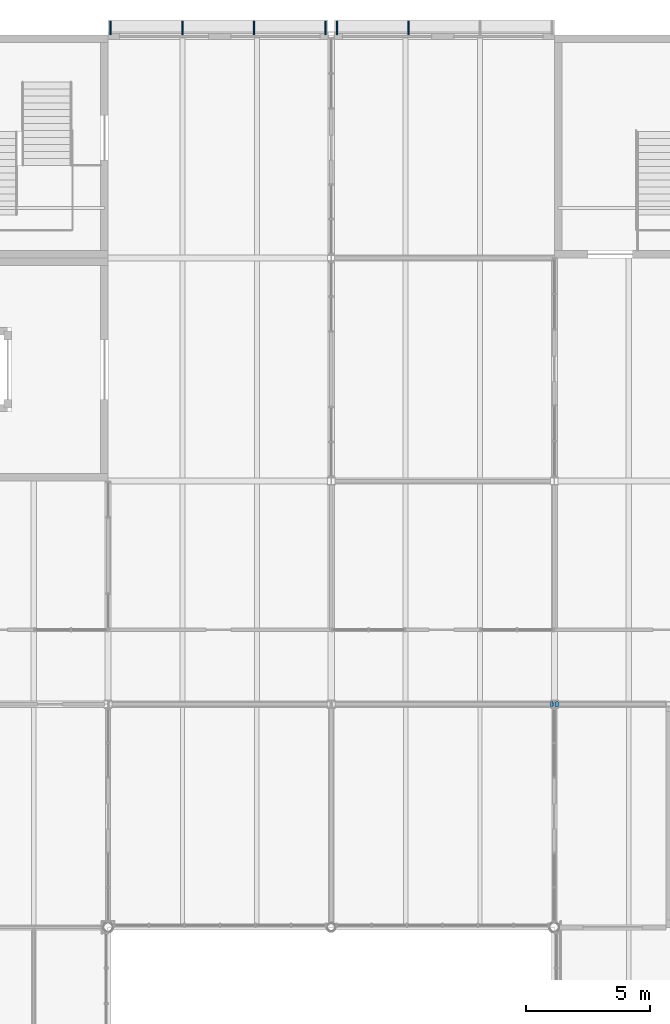
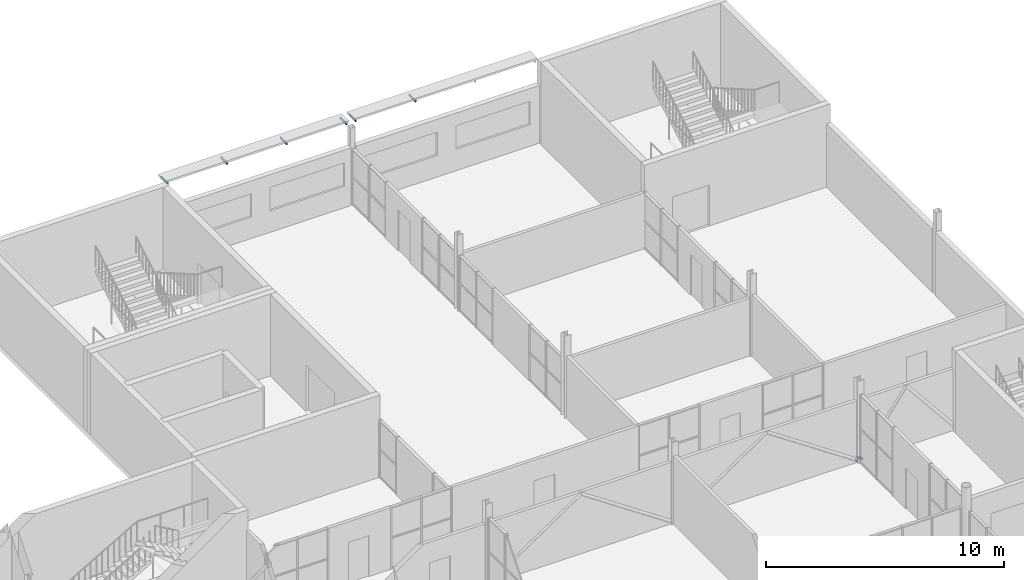
# One storey, part 45 of 57: 8 discrete accessories.
"""IFC4 building model written with IfcOpenShell, lengths in metres."""

from ifc_helpers import new_model, si_unit, direction, frame, origin, origin_2d, place, context, subcontext, project, spatial, rectangle, circle, extrude, element, save


model = new_model("IFC4")

# Units and contexts
model_context = context("Model", 3, precision=1e-05, world=origin(), true_north=direction((0.0, 1.0)))
body_context = subcontext(model_context, "Body", "Model", "MODEL_VIEW")
ifc_project = project(units=[si_unit("LENGTHUNIT", "METRE"), si_unit("AREAUNIT", "SQUARE_METRE"), si_unit("VOLUMEUNIT", "CUBIC_METRE"), si_unit("PLANEANGLEUNIT", "RADIAN"), si_unit("MASSUNIT", "GRAM", prefix="KILO")], contexts=[model_context])

# Site, building, storey
site_placement = place(None, origin())
site = spatial("IfcSite", under=ifc_project, at=site_placement, CompositionType="ELEMENT")
building_placement = place(site_placement, origin())
building = spatial("IfcBuilding", under=site, at=building_placement, Name="Halyard Row Museum", CompositionType="ELEMENT")
storey_placement = place(building_placement, frame((0.0, 0.0, 5.0)))
storey = spatial("IfcBuildingStorey", under=building, at=storey_placement, Name="L01", CompositionType="ELEMENT", Elevation=5.0)

# Discrete accessories
for number, where, z_axis, x_axis, name in (
    (1, (98.89453125, 36.0, 0.109619140625), (0.828283413128, 0.0, -0.560309367704), (0.0, 1.0, 0.0), "Brace L01 Y36 90-99 B foot end plate"),
    (2, (99.10546875, 36.0, 0.109619140625), (-0.582385334428, 0.0, -0.812912862639), (0.0, -1.0, 0.0), "Brace L01 Y36 99-103.5 A foot end plate"),
):
    element("IfcDiscreteAccessory", number, at=place(storey_placement, frame(where, z_axis=z_axis, x_axis=x_axis)), inside=storey, Name=name, PredefinedType="BRACKET", context=body_context, shape_type="SweptSolid", body=[
        extrude(circle(Radius=0.109619140625, at=origin_2d()), origin(), (0.0, 0.0, 1.0), 0.02001953125),
    ])
for number, where, z_axis, x_axis, name in (
    (3, (93.11669921875, 63.27490234375, 4.034912109375), (0.0, 0.0, 1.0), (1.0, 0.0, 0.0), "Louvre bracket"),
    (4, (90.22509765625, 63.27490234375, 4.034912109375), (0.0, 0.0, 1.0), (1.0, 0.0, 0.0), "Louvre bracket"),
    (5, (89.77490234375, 63.27490234375, 4.034912109375), (0.0, 0.0, 1.0), (1.0, 0.0, 0.0), "Louvre bracket"),
    (6, (86.88330078125, 63.27490234375, 4.034912109375), (0.0, 0.0, 1.0), (1.0, 0.0, 0.0), "Louvre bracket"),
    (7, (83.99169921875, 63.27490234375, 4.034912109375), (0.0, 0.0, 1.0), (1.0, 0.0, 0.0), "Louvre bracket"),
    (8, (81.10009765625, 63.27490234375, 4.034912109375), (0.0, 0.0, 1.0), (1.0, 0.0, 0.0), "Louvre bracket"),
):
    element("IfcDiscreteAccessory", number, at=place(storey_placement, frame(where, z_axis=z_axis, x_axis=x_axis)), inside=storey, Name=name, PredefinedType="BRACKET", context=body_context, shape_type="SweptSolid", body=[
        extrude(rectangle(XDim=0.06005859375, YDim=0.550048828125, at=origin_2d()), origin(), (0.0, 0.0, 1.0), 0.10009765625),
    ])

save(model, "model.ifc")
